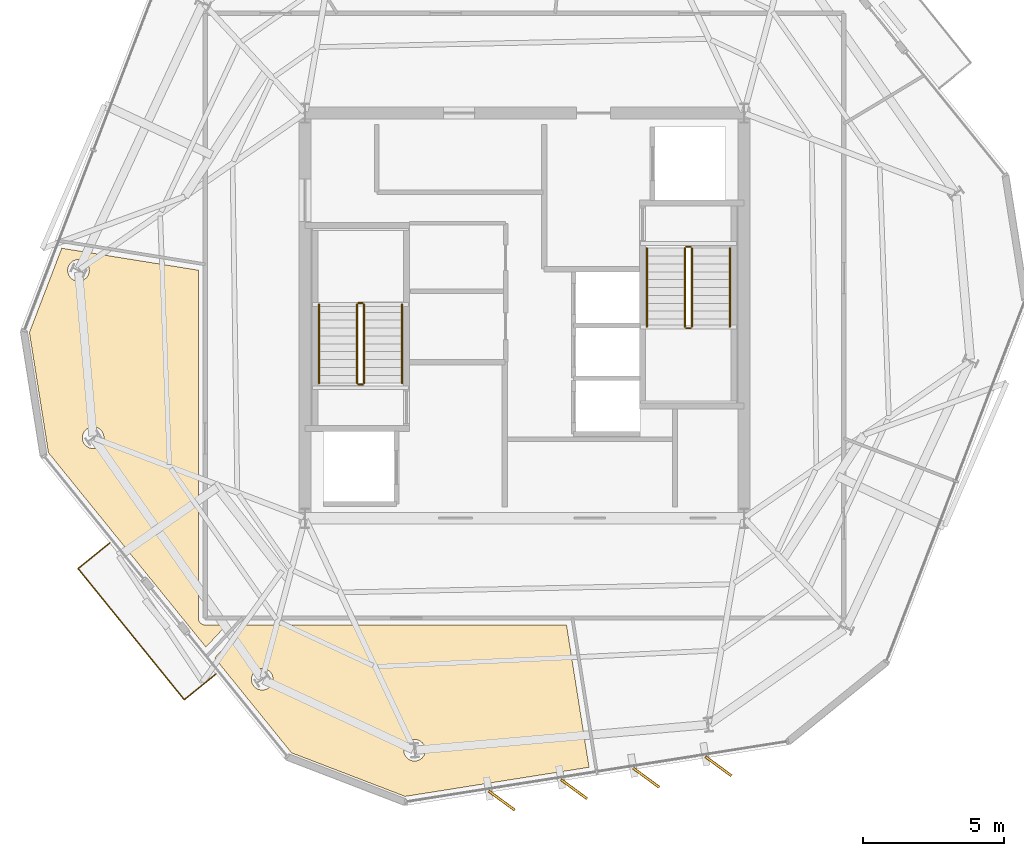
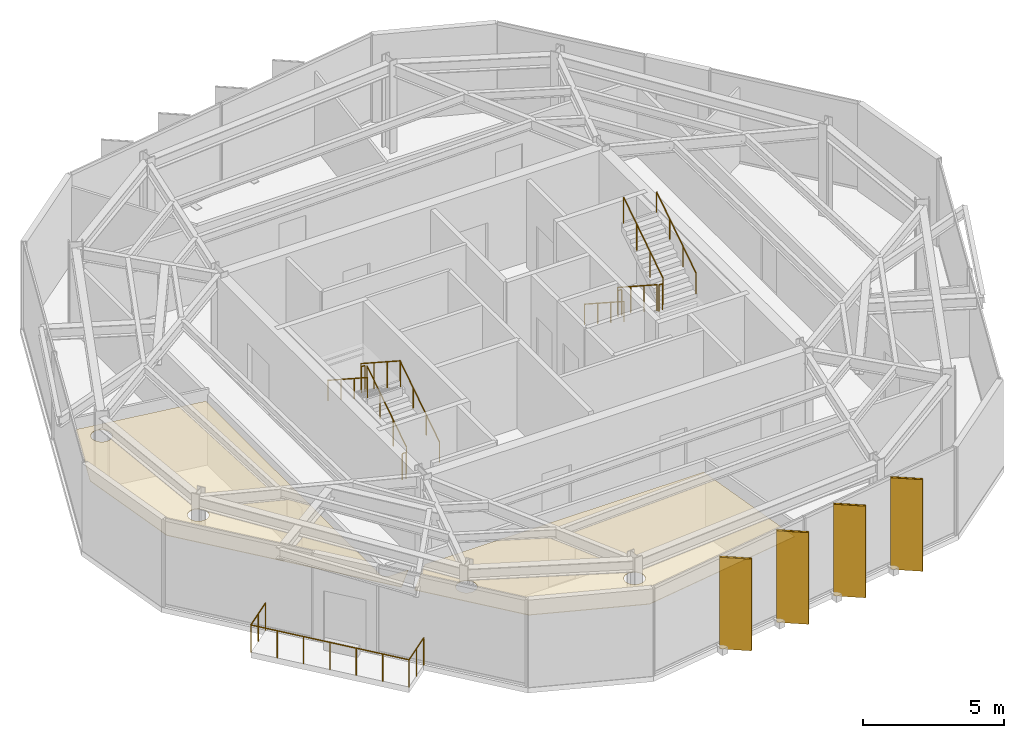
# One storey, part 9 of 10: 13 railings, 6 coverings, 4 shading devices.
"""IFC4 building model written with IfcOpenShell, lengths in metres."""

from ifc_helpers import new_model, si_unit, direction, frame, origin, origin_2d, place, context, subcontext, project, spatial, polyline, rectangle, circle, outline, extrude, material, layer, layer_set, type_object, element, save


model = new_model("IFC4")

# Units and contexts
model_context = context("Model", 3, precision=1e-05, world=origin(), true_north=direction((0.0, 1.0)))
body_context = subcontext(model_context, "Body", "Model", "MODEL_VIEW")
ifc_project = project(units=[si_unit("LENGTHUNIT", "METRE"), si_unit("AREAUNIT", "SQUARE_METRE"), si_unit("VOLUMEUNIT", "CUBIC_METRE"), si_unit("PLANEANGLEUNIT", "RADIAN"), si_unit("MASSUNIT", "GRAM", prefix="KILO")], contexts=[model_context])

# Site, building, storey
site_placement = place(None, origin())
site = spatial("IfcSite", under=ifc_project, at=site_placement, CompositionType="ELEMENT")
building_placement = place(site_placement, origin())
building = spatial("IfcBuilding", under=site, at=building_placement, Name="Kranzbogen Civic Tower", CompositionType="ELEMENT")
storey_placement = place(building_placement, frame((0.0, 0.0, 302.199951171875)))
storey = spatial("IfcBuildingStorey", under=building, at=storey_placement, Name="L73", CompositionType="ELEMENT", Elevation=302.199951171875)

# Coverings
ifc_material_1 = material(Name="Pale Anodised Aluminium", Category="aluminium")
ifc_layer_1 = layer(ifc_material_1, 0.02490234375, Name="Pale Anodised Aluminium")
ifc_layer_set_1 = layer_set([ifc_layer_1], Name="Pale Anodised Aluminium")
covering_type_1 = type_object("IfcCoveringType", Name="Anodised Aluminium Vertical Fin Cladding 25 mm", PredefinedType="CLADDING", material=ifc_layer_set_1)
for number, where, z_axis, x_axis, name in (
    (1, (24.19091796875, 7.761962890625, -0.139892578125), (0.0, 0.0, 1.0), (0.806052255522, -0.591844372591, 0.0), "L73 vertical fin pale-metal cladding F4-1"),
    (2, (26.759033203125, 8.16796875, -0.139892578125), (0.0, 0.0, 1.0), (0.806052255522, -0.591844372591, 0.0), "L73 vertical fin pale-metal cladding F4-2"),
    (3, (29.326904296875, 8.574951171875, -0.139892578125), (0.0, 0.0, 1.0), (0.806052255522, -0.591844372591, 0.0), "L73 vertical fin pale-metal cladding F4-3"),
    (4, (31.89501953125, 8.98193359375, -0.139892578125), (0.0, 0.0, 1.0), (0.806052255522, -0.591844372591, 0.0), "L73 vertical fin pale-metal cladding F4-4"),
):
    element("IfcCovering", number, at=place(storey_placement, frame(where, z_axis=z_axis, x_axis=x_axis)), inside=storey, type_object=covering_type_1, Name=name, PredefinedType="CLADDING", context=body_context, shape_type="SweptSolid", body=[
        extrude(rectangle(XDim=1.14990234375, YDim=0.094970703125, at=origin_2d()), origin(), (0.0, 0.0, 1.0), 3.9599609375),
    ])

# Railings
ifc_material_2 = material(Name="Anodised Bronze Aluminium", Category="aluminium")
railing_type_1 = type_object("IfcRailingType", Name="Cantilevered Balcony Glass and Bronze Balustrade 1200", PredefinedType="BALUSTRADE", material=ifc_material_2)
railing_1_placement = place(storey_placement, frame((10.257080078125, 16.922119140625, 0.0)))
element("IfcRailing", 5, at=railing_1_placement, inside=storey, type_object=railing_type_1, Name="L73 exterior terrace balustrade L73-TB2", PredefinedType="BALUSTRADE", context=body_context, shape_type="SweptSolid", body=[
    extrude(circle(Radius=0.02392578125, at=origin_2d()), frame((0.0, 0.0, 1.17578125), z_axis=(-0.777044945429, -0.629445114989, 0.0), x_axis=(0.629445114989, -0.777044945429, 0.0)), (0.0, 0.0, 1.0), 1.45068359375),
    extrude(circle(Radius=0.02392578125, at=origin_2d()), frame((-1.127197265625, -0.9130859375, 1.17578125), z_axis=(0.629323461939, -0.77714347469, 0.0), x_axis=(0.77714347469, 0.629323461939, 0.0)), (0.0, 0.0, 1.0), 6.000244140625),
    extrude(circle(Radius=0.02392578125, at=origin_2d()), frame((2.64892578125, -5.576171875, 1.17578125), z_axis=(0.776978251362, 0.629527439362, 0.0), x_axis=(-0.629527439362, 0.776978251362, 0.0)), (0.0, 0.0, 1.0), 1.450439453125),
    extrude(circle(Radius=0.02099609375, at=origin_2d()), origin(), (0.0, 0.0, 1.0), 1.15185546875),
    extrude(circle(Radius=0.02099609375, at=origin_2d()), frame((-0.5634765625, -0.45654296875, 0.0)), (0.0, 0.0, 1.0), 1.15185546875),
    extrude(circle(Radius=0.02099609375, at=origin_2d()), frame((-1.127197265625, -0.9130859375, 0.0)), (0.0, 0.0, 1.0), 1.15185546875),
    extrude(circle(Radius=0.02099609375, at=origin_2d()), frame((-0.497802734375, -1.690185546875, 0.0)), (0.0, 0.0, 1.0), 1.15185546875),
    extrude(circle(Radius=0.02099609375, at=origin_2d()), frame((0.131591796875, -2.467529296875, 0.0)), (0.0, 0.0, 1.0), 1.15185546875),
    extrude(circle(Radius=0.02099609375, at=origin_2d()), frame((0.7607421875, -3.24462890625, 0.0)), (0.0, 0.0, 1.0), 1.15185546875),
    extrude(circle(Radius=0.02099609375, at=origin_2d()), frame((1.39013671875, -4.021728515625, 0.0)), (0.0, 0.0, 1.0), 1.15185546875),
    extrude(circle(Radius=0.02099609375, at=origin_2d()), frame((2.01953125, -4.799072265625, 0.0)), (0.0, 0.0, 1.0), 1.15185546875),
    extrude(circle(Radius=0.02099609375, at=origin_2d()), frame((2.64892578125, -5.576171875, 0.0)), (0.0, 0.0, 1.0), 1.15185546875),
    extrude(circle(Radius=0.02099609375, at=origin_2d()), frame((3.21240234375, -5.11962890625, 0.0)), (0.0, 0.0, 1.0), 1.15185546875),
    extrude(circle(Radius=0.02099609375, at=origin_2d()), frame((3.77587890625, -4.6630859375, 0.0)), (0.0, 0.0, 1.0), 1.15185546875),
])
ifc_material_3 = material(Name="Steel S355", Category="steel")
railing_type_2 = type_object("IfcRailingType", Name="Internal Stair and Void Steel Guardrail 1150", PredefinedType="GUARDRAIL", material=ifc_material_3)
railing_2_placement = place(storey_placement, frame((19.300048828125, 22.60009765625, 0.181884765625)))
element("IfcRailing", 6, at=railing_2_placement, inside=storey, type_object=railing_type_2, Name="L73 ST-T1 stair guard 1", PredefinedType="GUARDRAIL", context=body_context, shape_type="SweptSolid", body=[
    extrude(circle(Radius=0.02392578125, at=origin_2d()), frame((0.0, 0.0, 1.1259765625), z_axis=(0.0, 0.83868413941, 0.544618136222), x_axis=(-1.0, 0.0, 0.0)), (0.0, 0.0, 1.0), 3.33837890625),
    extrude(circle(Radius=0.02099609375, at=origin_2d()), origin(), (0.0, 0.0, 1.0), 1.101806640625),
    extrude(circle(Radius=0.02099609375, at=origin_2d()), frame((0.0, 0.933349609375, 0.60595703125)), (0.0, 0.0, 1.0), 1.101806640625),
    extrude(circle(Radius=0.02099609375, at=origin_2d()), frame((0.0, 1.866455078125, 1.212158203125)), (0.0, 0.0, 1.0), 1.101806640625),
    extrude(circle(Radius=0.02099609375, at=origin_2d()), frame((0.0, 2.7998046875, 1.818115234375)), (0.0, 0.0, 1.0), 1.101806640625),
])
railing_3_placement = place(storey_placement, frame((19.25, 25.449951171875, 2.0)))
element("IfcRailing", 7, at=railing_3_placement, inside=storey, type_object=railing_type_2, Name="L73 ST-T1 stair guard 2", PredefinedType="GUARDRAIL", context=body_context, shape_type="SweptSolid", body=[
    extrude(circle(Radius=0.02392578125, at=origin_2d()), frame((0.0, 0.0, 1.1259765625), z_axis=(-1.0, 0.0, 0.0), x_axis=(0.0, -1.0, 0.0)), (0.0, 0.0, 1.0), 0.14990234375),
    extrude(circle(Radius=0.02099609375, at=origin_2d()), origin(), (0.0, 0.0, 1.0), 1.101806640625),
    extrude(circle(Radius=0.02099609375, at=origin_2d()), frame((-0.14990234375, 0.0, 0.0)), (0.0, 0.0, 1.0), 1.101806640625),
])
railing_4_placement = place(storey_placement, frame((19.050048828125, 25.39990234375, 2.181884765625)))
element("IfcRailing", 8, at=railing_4_placement, inside=storey, type_object=railing_type_2, Name="L73 ST-T1 stair guard 3", PredefinedType="GUARDRAIL", context=body_context, shape_type="SweptSolid", body=[
    extrude(circle(Radius=0.02392578125, at=origin_2d()), frame((0.0, 0.0, 1.1259765625), z_axis=(0.0, -0.83868413941, 0.544618136222), x_axis=(1.0, 0.0, 0.0)), (0.0, 0.0, 1.0), 3.33837890625),
    extrude(circle(Radius=0.02099609375, at=origin_2d()), origin(), (0.0, 0.0, 1.0), 1.101806640625),
    extrude(circle(Radius=0.02099609375, at=origin_2d()), frame((0.0, -0.933349609375, 0.60595703125)), (0.0, 0.0, 1.0), 1.101806640625),
    extrude(circle(Radius=0.02099609375, at=origin_2d()), frame((0.0, -1.866455078125, 1.212158203125)), (0.0, 0.0, 1.0), 1.101806640625),
    extrude(circle(Radius=0.02099609375, at=origin_2d()), frame((0.0, -2.7998046875, 1.818115234375)), (0.0, 0.0, 1.0), 1.101806640625),
])
railing_5_placement = place(storey_placement, frame((19.25, 22.550048828125, 0.0)))
element("IfcRailing", 9, at=railing_5_placement, inside=storey, type_object=railing_type_2, Name="L73 ST-T1 stair guard 4", PredefinedType="GUARDRAIL", context=body_context, shape_type="SweptSolid", body=[
    extrude(circle(Radius=0.02392578125, at=origin_2d()), frame((0.0, 0.0, 1.1259765625), z_axis=(-1.0, 0.0, 0.0), x_axis=(0.0, -1.0, 0.0)), (0.0, 0.0, 1.0), 0.14990234375),
    extrude(circle(Radius=0.02099609375, at=origin_2d()), origin(), (0.0, 0.0, 1.0), 1.101806640625),
    extrude(circle(Radius=0.02099609375, at=origin_2d()), frame((-0.14990234375, 0.0, 0.0)), (0.0, 0.0, 1.0), 1.101806640625),
])
railing_6_placement = place(storey_placement, frame((30.699951171875, 27.39990234375, 0.181884765625)))
element("IfcRailing", 10, at=railing_6_placement, inside=storey, type_object=railing_type_2, Name="L73 ST-T2 stair guard 1", PredefinedType="GUARDRAIL", context=body_context, shape_type="SweptSolid", body=[
    extrude(circle(Radius=0.02392578125, at=origin_2d()), frame((0.0, 0.0, 1.1259765625), z_axis=(0.0, -0.83868413941, 0.544618136222), x_axis=(1.0, 0.0, 0.0)), (0.0, 0.0, 1.0), 3.33837890625),
    extrude(circle(Radius=0.02099609375, at=origin_2d()), origin(), (0.0, 0.0, 1.0), 1.101806640625),
    extrude(circle(Radius=0.02099609375, at=origin_2d()), frame((0.0, -0.933349609375, 0.60595703125)), (0.0, 0.0, 1.0), 1.101806640625),
    extrude(circle(Radius=0.02099609375, at=origin_2d()), frame((0.0, -1.866455078125, 1.212158203125)), (0.0, 0.0, 1.0), 1.101806640625),
    extrude(circle(Radius=0.02099609375, at=origin_2d()), frame((0.0, -2.7998046875, 1.818115234375)), (0.0, 0.0, 1.0), 1.101806640625),
])
railing_7_placement = place(storey_placement, frame((30.75, 24.550048828125, 2.0)))
element("IfcRailing", 11, at=railing_7_placement, inside=storey, type_object=railing_type_2, Name="L73 ST-T2 stair guard 2", PredefinedType="GUARDRAIL", context=body_context, shape_type="SweptSolid", body=[
    extrude(circle(Radius=0.02392578125, at=origin_2d()), frame((0.0, 0.0, 1.1259765625), z_axis=(1.0, 0.0, 0.0), x_axis=(0.0, 1.0, 0.0)), (0.0, 0.0, 1.0), 0.14990234375),
    extrude(circle(Radius=0.02099609375, at=origin_2d()), origin(), (0.0, 0.0, 1.0), 1.101806640625),
    extrude(circle(Radius=0.02099609375, at=origin_2d()), frame((0.14990234375, 0.0, 0.0)), (0.0, 0.0, 1.0), 1.101806640625),
])
railing_8_placement = place(storey_placement, frame((30.949951171875, 24.60009765625, 2.181884765625)))
element("IfcRailing", 12, at=railing_8_placement, inside=storey, type_object=railing_type_2, Name="L73 ST-T2 stair guard 3", PredefinedType="GUARDRAIL", context=body_context, shape_type="SweptSolid", body=[
    extrude(circle(Radius=0.02392578125, at=origin_2d()), frame((0.0, 0.0, 1.1259765625), z_axis=(0.0, 0.83868413941, 0.544618136222), x_axis=(-1.0, 0.0, 0.0)), (0.0, 0.0, 1.0), 3.33837890625),
    extrude(circle(Radius=0.02099609375, at=origin_2d()), origin(), (0.0, 0.0, 1.0), 1.101806640625),
    extrude(circle(Radius=0.02099609375, at=origin_2d()), frame((0.0, 0.933349609375, 0.60595703125)), (0.0, 0.0, 1.0), 1.101806640625),
    extrude(circle(Radius=0.02099609375, at=origin_2d()), frame((0.0, 1.866455078125, 1.212158203125)), (0.0, 0.0, 1.0), 1.101806640625),
    extrude(circle(Radius=0.02099609375, at=origin_2d()), frame((0.0, 2.7998046875, 1.818115234375)), (0.0, 0.0, 1.0), 1.101806640625),
])
railing_9_placement = place(storey_placement, frame((30.75, 27.449951171875, 0.0)))
element("IfcRailing", 13, at=railing_9_placement, inside=storey, type_object=railing_type_2, Name="L73 ST-T2 stair guard 4", PredefinedType="GUARDRAIL", context=body_context, shape_type="SweptSolid", body=[
    extrude(circle(Radius=0.02392578125, at=origin_2d()), frame((0.0, 0.0, 1.1259765625), z_axis=(1.0, 0.0, 0.0), x_axis=(0.0, 1.0, 0.0)), (0.0, 0.0, 1.0), 0.14990234375),
    extrude(circle(Radius=0.02099609375, at=origin_2d()), origin(), (0.0, 0.0, 1.0), 1.101806640625),
    extrude(circle(Radius=0.02099609375, at=origin_2d()), frame((0.14990234375, 0.0, 0.0)), (0.0, 0.0, 1.0), 1.101806640625),
])

# Shading devices
shading_device_type = type_object("IfcShadingDeviceType", Name="Pale Anodised Aluminium Crown Fin 1150x75", PredefinedType="USERDEFINED", material=ifc_material_1)
for number, where, z_axis, x_axis, name in (
    (14, (24.19091796875, 7.761962890625, -0.139892578125), (0.0, 0.0, 1.0), (0.806052255522, -0.591844372591, 0.0), "L73 vertical exterior shading fin F4-1"),
    (15, (26.759033203125, 8.16796875, -0.139892578125), (0.0, 0.0, 1.0), (0.806052255522, -0.591844372591, 0.0), "L73 vertical exterior shading fin F4-2"),
    (16, (29.326904296875, 8.574951171875, -0.139892578125), (0.0, 0.0, 1.0), (0.806052255522, -0.591844372591, 0.0), "L73 vertical exterior shading fin F4-3"),
    (17, (31.89501953125, 8.98193359375, -0.139892578125), (0.0, 0.0, 1.0), (0.806052255522, -0.591844372591, 0.0), "L73 vertical exterior shading fin F4-4"),
):
    element("IfcShadingDevice", number, at=place(storey_placement, frame(where, z_axis=z_axis, x_axis=x_axis)), inside=storey, type_object=shading_device_type, Name=name, ObjectType="FIN", PredefinedType="USERDEFINED", context=body_context, shape_type="SweptSolid", body=[
        extrude(rectangle(XDim=1.14990234375, YDim=0.074951171875, at=origin_2d()), origin(), (0.0, 0.0, 1.0), 3.9599609375),
    ])

# Coverings
ifc_material_4 = material(Name="Perforated Acoustic Gypsum Ceiling")
ifc_layer_2 = layer(ifc_material_4, 0.02490234375, Name="Perforated Acoustic Gypsum Ceiling")
ifc_layer_set_2 = layer_set([ifc_layer_2], Name="Perforated Acoustic Gypsum Ceiling")
covering_type_2 = type_object("IfcCoveringType", Name="Perforated Acoustic Mineral Ceiling Tile 25 mm", PredefinedType="CEILING", material=ifc_layer_set_2)
covering_1_placement = place(storey_placement, frame((0.0, 0.0, 2.900146484375)))
element("IfcCovering", 18, at=covering_1_placement, inside=storey, type_object=covering_type_2, Name="L73 Public Delegation Reception acoustic ceiling", PredefinedType="CEILING", context=body_context, shape_type="SweptSolid", body=[
    extrude(outline(polyline([(7.40087890625, 24.403076171875), (8.550048828125, 27.39697265625), (13.405029296875, 26.615966796875), (13.405029296875, 14.25), (13.405029296875, 14.240966796875), (13.406005859375, 14.235107421875), (13.406982421875, 14.217041015625), (13.407958984375, 14.2109375), (13.412109375, 14.194091796875), (13.4130859375, 14.18701171875), (13.41796875, 14.169921875), (13.419921875, 14.1640625), (13.427001953125, 14.14794921875), (13.429931640625, 14.14208984375), (13.43798828125, 14.126953125), (13.44189453125, 14.12109375), (13.450927734375, 14.10693359375), (13.455078125, 14.10205078125), (13.466064453125, 14.087890625), (13.470947265625, 14.0830078125), (13.48291015625, 14.071044921875), (13.488037109375, 14.06591796875), (13.501953125, 14.054931640625), (13.507080078125, 14.051025390625), (13.52099609375, 14.0419921875), (13.527099609375, 14.0380859375), (13.5419921875, 14.030029296875), (13.548095703125, 14.027099609375), (13.56396484375, 14.02001953125), (13.570068359375, 14.01806640625), (13.5869140625, 14.012939453125), (13.593994140625, 14.011962890625), (13.611083984375, 14.008056640625), (13.616943359375, 14.007080078125), (13.635009765625, 14.006103515625), (13.64111328125, 14.0048828125), (13.64990234375, 14.0048828125), (14.408935546875, 14.0048828125), (13.674072265625, 13.218017578125), (8.076904296875, 20.1298828125), (7.40087890625, 24.403076171875)]), holes=[polyline([(10.02001953125, 20.513916015625), (10.00390625, 20.47998046875), (9.985107421875, 20.447998046875), (9.9619140625, 20.41796875), (9.93701171875, 20.389892578125), (9.908935546875, 20.364990234375), (9.87890625, 20.342041015625), (9.846923828125, 20.322998046875), (9.81298828125, 20.306884765625), (9.777099609375, 20.2939453125), (9.740966796875, 20.284912109375), (9.7041015625, 20.279052734375), (9.666015625, 20.278076171875), (9.6279296875, 20.279052734375), (9.591064453125, 20.284912109375), (9.554931640625, 20.2939453125), (9.51904296875, 20.306884765625), (9.485107421875, 20.322998046875), (9.452880859375, 20.342041015625), (9.423095703125, 20.364990234375), (9.39501953125, 20.389892578125), (9.3701171875, 20.41796875), (9.346923828125, 20.447998046875), (9.327880859375, 20.47998046875), (9.31201171875, 20.513916015625), (9.299072265625, 20.550048828125), (9.2900390625, 20.5859375), (9.283935546875, 20.623046875), (9.282958984375, 20.660888671875), (9.283935546875, 20.698974609375), (9.2900390625, 20.736083984375), (9.299072265625, 20.77197265625), (9.31201171875, 20.80810546875), (9.327880859375, 20.842041015625), (9.346923828125, 20.8740234375), (9.3701171875, 20.904052734375), (9.39501953125, 20.931884765625), (9.423095703125, 20.95703125), (9.452880859375, 20.97998046875), (9.485107421875, 20.9990234375), (9.51904296875, 21.014892578125), (9.554931640625, 21.028076171875), (9.591064453125, 21.037109375), (9.6279296875, 21.04296875), (9.666015625, 21.0439453125), (9.7041015625, 21.04296875), (9.740966796875, 21.037109375), (9.777099609375, 21.028076171875), (9.81298828125, 21.014892578125), (9.846923828125, 20.9990234375), (9.87890625, 20.97998046875), (9.908935546875, 20.95703125), (9.93701171875, 20.931884765625), (9.9619140625, 20.904052734375), (9.985107421875, 20.8740234375), (10.00390625, 20.842041015625), (10.02001953125, 20.80810546875), (10.032958984375, 20.77197265625), (10.0419921875, 20.736083984375), (10.048095703125, 20.698974609375), (10.049072265625, 20.660888671875), (10.048095703125, 20.623046875), (10.0419921875, 20.5859375), (10.032958984375, 20.550048828125), (10.02001953125, 20.513916015625)]), polyline([(9.4990234375, 26.462890625), (9.48291015625, 26.428955078125), (9.464111328125, 26.39697265625), (9.44091796875, 26.366943359375), (9.416015625, 26.339111328125), (9.387939453125, 26.31396484375), (9.35791015625, 26.291015625), (9.325927734375, 26.27197265625), (9.2919921875, 26.256103515625), (9.256103515625, 26.242919921875), (9.219970703125, 26.23388671875), (9.18310546875, 26.22802734375), (9.14501953125, 26.22705078125), (9.10693359375, 26.22802734375), (9.070068359375, 26.23388671875), (9.033935546875, 26.242919921875), (8.998046875, 26.256103515625), (8.964111328125, 26.27197265625), (8.931884765625, 26.291015625), (8.902099609375, 26.31396484375), (8.8740234375, 26.339111328125), (8.84912109375, 26.366943359375), (8.825927734375, 26.39697265625), (8.806884765625, 26.428955078125), (8.791015625, 26.462890625), (8.778076171875, 26.4990234375), (8.76904296875, 26.534912109375), (8.762939453125, 26.572021484375), (8.761962890625, 26.610107421875), (8.762939453125, 26.64794921875), (8.76904296875, 26.68505859375), (8.778076171875, 26.720947265625), (8.791015625, 26.757080078125), (8.806884765625, 26.791015625), (8.825927734375, 26.822998046875), (8.84912109375, 26.85302734375), (8.8740234375, 26.881103515625), (8.902099609375, 26.906005859375), (8.931884765625, 26.928955078125), (8.964111328125, 26.947998046875), (8.998046875, 26.964111328125), (9.033935546875, 26.97705078125), (9.070068359375, 26.986083984375), (9.10693359375, 26.991943359375), (9.14501953125, 26.992919921875), (9.18310546875, 26.991943359375), (9.219970703125, 26.986083984375), (9.256103515625, 26.97705078125), (9.2919921875, 26.964111328125), (9.325927734375, 26.947998046875), (9.35791015625, 26.928955078125), (9.387939453125, 26.906005859375), (9.416015625, 26.881103515625), (9.44091796875, 26.85302734375), (9.464111328125, 26.822998046875), (9.48291015625, 26.791015625), (9.4990234375, 26.757080078125), (9.511962890625, 26.720947265625), (9.52099609375, 26.68505859375), (9.527099609375, 26.64794921875), (9.528076171875, 26.610107421875), (9.527099609375, 26.572021484375), (9.52099609375, 26.534912109375), (9.511962890625, 26.4990234375), (9.4990234375, 26.462890625)])]), origin(), (0.0, 0.0, 1.0), 0.02490234375),
])
covering_2_placement = place(storey_placement, frame((0.0, 0.0, 2.900146484375)))
element("IfcCovering", 19, at=covering_2_placement, inside=storey, type_object=covering_type_2, Name="L73 Visitor Concierge Foyer acoustic ceiling", PredefinedType="CEILING", context=body_context, shape_type="SweptSolid", body=[
    extrude(outline(polyline([(16.718017578125, 9.458984375), (13.986083984375, 12.8330078125), (15.0791015625, 14.0048828125), (26.492919921875, 14.0048828125), (27.294921875, 8.945068359375), (20.756103515625, 7.909912109375), (16.718017578125, 9.458984375)]), holes=[polyline([(21.445068359375, 9.403076171875), (21.428955078125, 9.368896484375), (21.409912109375, 9.3369140625), (21.386962890625, 9.306884765625), (21.362060546875, 9.279052734375), (21.333984375, 9.25390625), (21.303955078125, 9.23095703125), (21.27197265625, 9.2119140625), (21.238037109375, 9.196044921875), (21.201904296875, 9.18310546875), (21.166015625, 9.174072265625), (21.12890625, 9.16796875), (21.091064453125, 9.1669921875), (21.052978515625, 9.16796875), (21.01611328125, 9.174072265625), (20.97998046875, 9.18310546875), (20.944091796875, 9.196044921875), (20.909912109375, 9.2119140625), (20.8779296875, 9.23095703125), (20.847900390625, 9.25390625), (20.820068359375, 9.279052734375), (20.794921875, 9.306884765625), (20.77197265625, 9.3369140625), (20.7529296875, 9.368896484375), (20.737060546875, 9.403076171875), (20.72412109375, 9.43896484375), (20.715087890625, 9.47509765625), (20.708984375, 9.511962890625), (20.7080078125, 9.550048828125), (20.708984375, 9.587890625), (20.715087890625, 9.625), (20.72412109375, 9.660888671875), (20.737060546875, 9.697021484375), (20.7529296875, 9.73095703125), (20.77197265625, 9.762939453125), (20.794921875, 9.79296875), (20.820068359375, 9.821044921875), (20.847900390625, 9.845947265625), (20.8779296875, 9.868896484375), (20.909912109375, 9.887939453125), (20.944091796875, 9.904052734375), (20.97998046875, 9.9169921875), (21.01611328125, 9.926025390625), (21.052978515625, 9.931884765625), (21.091064453125, 9.93310546875), (21.12890625, 9.931884765625), (21.166015625, 9.926025390625), (21.201904296875, 9.9169921875), (21.238037109375, 9.904052734375), (21.27197265625, 9.887939453125), (21.303955078125, 9.868896484375), (21.333984375, 9.845947265625), (21.362060546875, 9.821044921875), (21.386962890625, 9.79296875), (21.409912109375, 9.762939453125), (21.428955078125, 9.73095703125), (21.445068359375, 9.697021484375), (21.4580078125, 9.660888671875), (21.467041015625, 9.625), (21.472900390625, 9.587890625), (21.47412109375, 9.550048828125), (21.472900390625, 9.511962890625), (21.467041015625, 9.47509765625), (21.4580078125, 9.43896484375), (21.445068359375, 9.403076171875)]), polyline([(16.031982421875, 11.927001953125), (16.01611328125, 11.89306640625), (15.9970703125, 11.861083984375), (15.97412109375, 11.8310546875), (15.948974609375, 11.802978515625), (15.9208984375, 11.778076171875), (15.89111328125, 11.7548828125), (15.85888671875, 11.736083984375), (15.824951171875, 11.719970703125), (15.7890625, 11.70703125), (15.7529296875, 11.697998046875), (15.716064453125, 11.69189453125), (15.677978515625, 11.69091796875), (15.639892578125, 11.69189453125), (15.60302734375, 11.697998046875), (15.56689453125, 11.70703125), (15.531005859375, 11.719970703125), (15.4970703125, 11.736083984375), (15.465087890625, 11.7548828125), (15.43505859375, 11.778076171875), (15.406982421875, 11.802978515625), (15.382080078125, 11.8310546875), (15.35888671875, 11.861083984375), (15.340087890625, 11.89306640625), (15.323974609375, 11.927001953125), (15.31103515625, 11.962890625), (15.302001953125, 11.9990234375), (15.2958984375, 12.035888671875), (15.294921875, 12.073974609375), (15.2958984375, 12.112060546875), (15.302001953125, 12.14892578125), (15.31103515625, 12.18505859375), (15.323974609375, 12.220947265625), (15.340087890625, 12.2548828125), (15.35888671875, 12.287109375), (15.382080078125, 12.31689453125), (15.406982421875, 12.344970703125), (15.43505859375, 12.3701171875), (15.465087890625, 12.39306640625), (15.4970703125, 12.412109375), (15.531005859375, 12.427978515625), (15.56689453125, 12.44091796875), (15.60302734375, 12.449951171875), (15.639892578125, 12.4560546875), (15.677978515625, 12.45703125), (15.716064453125, 12.4560546875), (15.7529296875, 12.449951171875), (15.7890625, 12.44091796875), (15.824951171875, 12.427978515625), (15.85888671875, 12.412109375), (15.89111328125, 12.39306640625), (15.9208984375, 12.3701171875), (15.948974609375, 12.344970703125), (15.97412109375, 12.31689453125), (15.9970703125, 12.287109375), (16.01611328125, 12.2548828125), (16.031982421875, 12.220947265625), (16.044921875, 12.18505859375), (16.053955078125, 12.14892578125), (16.06005859375, 12.112060546875), (16.06103515625, 12.073974609375), (16.06005859375, 12.035888671875), (16.053955078125, 11.9990234375), (16.044921875, 11.962890625), (16.031982421875, 11.927001953125)])]), origin(), (0.0, 0.0, 1.0), 0.02490234375),
])

# Railings
railing_type_3 = type_object("IfcRailingType", Name="Tubular Stainless Stair Wall Handrail 900", PredefinedType="HANDRAIL", material=ifc_material_1)
railing_10_placement = place(storey_placement, frame((20.64990234375, 22.60009765625, 0.181884765625)))
element("IfcRailing", 20, at=railing_10_placement, inside=storey, type_object=railing_type_3, Name="L73 ST-T1 stair handrail 1", PredefinedType="HANDRAIL", context=body_context, shape_type="SweptSolid", body=[
    extrude(circle(Radius=0.02392578125, at=origin_2d()), frame((0.0, 0.0, 0.8759765625), z_axis=(0.0, 0.83868413941, 0.544618136222), x_axis=(-1.0, 0.0, 0.0)), (0.0, 0.0, 1.0), 3.33837890625),
    extrude(circle(Radius=0.02099609375, at=origin_2d()), origin(), (0.0, 0.0, 1.0), 0.851806640625),
    extrude(circle(Radius=0.02099609375, at=origin_2d()), frame((0.0, 0.933349609375, 0.60595703125)), (0.0, 0.0, 1.0), 0.851806640625),
    extrude(circle(Radius=0.02099609375, at=origin_2d()), frame((0.0, 1.866455078125, 1.212158203125)), (0.0, 0.0, 1.0), 0.851806640625),
    extrude(circle(Radius=0.02099609375, at=origin_2d()), frame((0.0, 2.7998046875, 1.818115234375)), (0.0, 0.0, 1.0), 0.851806640625),
])
for number, where, name in (
    (21, (17.699951171875, 25.39990234375, 2.181884765625), "L73 ST-T1 stair handrail 2"),
    (22, (29.35009765625, 27.39990234375, 0.181884765625), "L73 ST-T2 stair handrail 1"),
):
    element("IfcRailing", number, at=place(storey_placement, frame(where)), inside=storey, type_object=railing_type_3, Name=name, PredefinedType="HANDRAIL", context=body_context, shape_type="SweptSolid", body=[
        extrude(circle(Radius=0.02392578125, at=origin_2d()), frame((0.0, 0.0, 0.8759765625), z_axis=(0.0, -0.83868413941, 0.544618136222), x_axis=(1.0, 0.0, 0.0)), (0.0, 0.0, 1.0), 3.33837890625),
        extrude(circle(Radius=0.02099609375, at=origin_2d()), origin(), (0.0, 0.0, 1.0), 0.851806640625),
        extrude(circle(Radius=0.02099609375, at=origin_2d()), frame((0.0, -0.933349609375, 0.60595703125)), (0.0, 0.0, 1.0), 0.851806640625),
        extrude(circle(Radius=0.02099609375, at=origin_2d()), frame((0.0, -1.866455078125, 1.212158203125)), (0.0, 0.0, 1.0), 0.851806640625),
        extrude(circle(Radius=0.02099609375, at=origin_2d()), frame((0.0, -2.7998046875, 1.818115234375)), (0.0, 0.0, 1.0), 0.851806640625),
    ])
railing_11_placement = place(storey_placement, frame((32.300048828125, 24.60009765625, 2.181884765625)))
element("IfcRailing", 23, at=railing_11_placement, inside=storey, type_object=railing_type_3, Name="L73 ST-T2 stair handrail 2", PredefinedType="HANDRAIL", context=body_context, shape_type="SweptSolid", body=[
    extrude(circle(Radius=0.02392578125, at=origin_2d()), frame((0.0, 0.0, 0.8759765625), z_axis=(0.0, 0.83868413941, 0.544618136222), x_axis=(-1.0, 0.0, 0.0)), (0.0, 0.0, 1.0), 3.33837890625),
    extrude(circle(Radius=0.02099609375, at=origin_2d()), origin(), (0.0, 0.0, 1.0), 0.851806640625),
    extrude(circle(Radius=0.02099609375, at=origin_2d()), frame((0.0, 0.933349609375, 0.60595703125)), (0.0, 0.0, 1.0), 0.851806640625),
    extrude(circle(Radius=0.02099609375, at=origin_2d()), frame((0.0, 1.866455078125, 1.212158203125)), (0.0, 0.0, 1.0), 0.851806640625),
    extrude(circle(Radius=0.02099609375, at=origin_2d()), frame((0.0, 2.7998046875, 1.818115234375)), (0.0, 0.0, 1.0), 0.851806640625),
])

save(model, "model.ifc")
